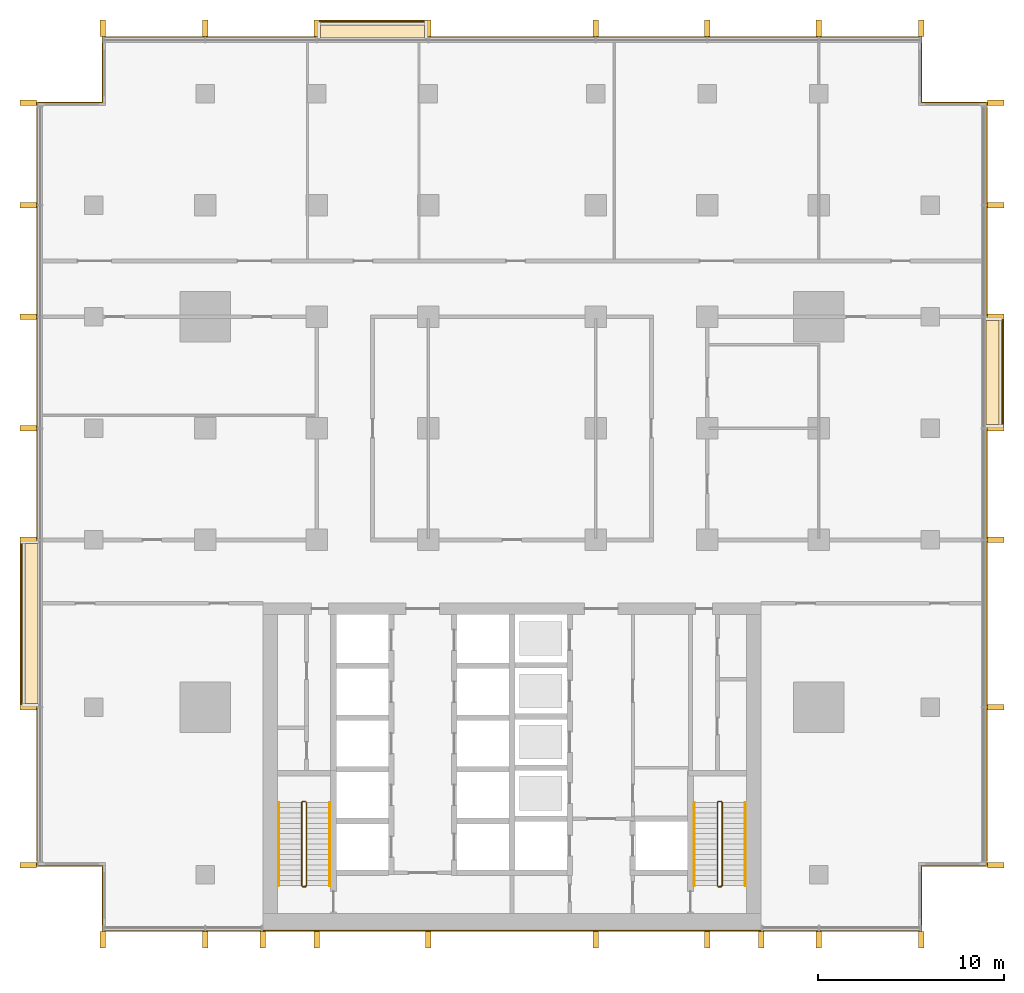
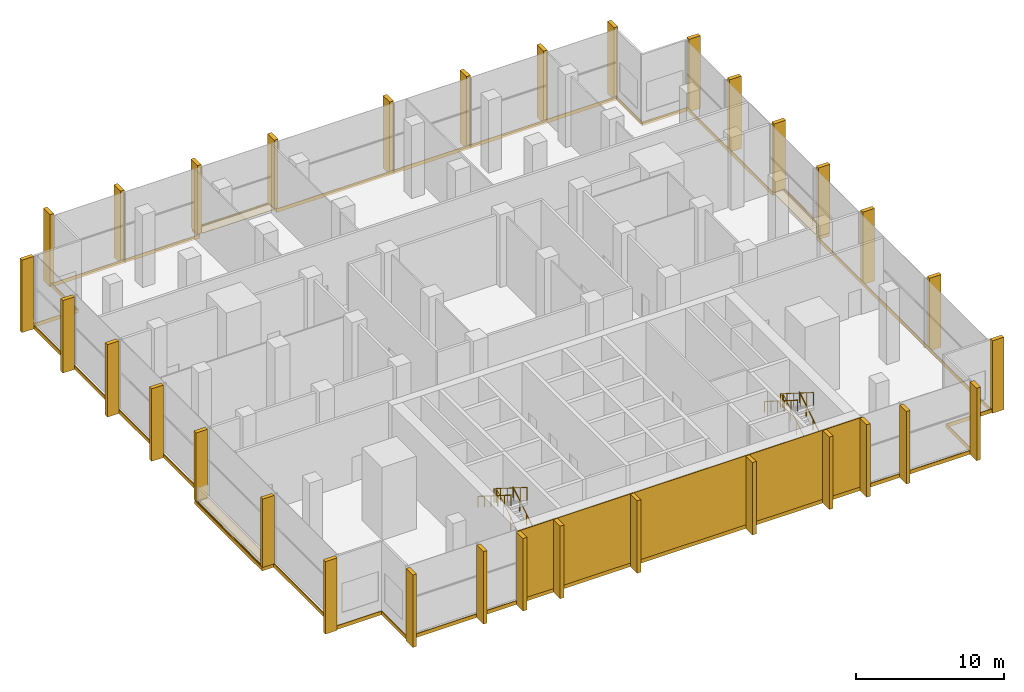
# One storey, part 15 of 16: 32 shading devices, 12 coverings, 6 railings.
"""IFC4 building model written with IfcOpenShell, lengths in metres."""

from ifc_helpers import new_model, si_unit, direction, frame, origin, origin_2d, place, context, subcontext, project, spatial, polyline, rectangle, circle, outline, extrude, material, layer, layer_set, type_object, element, save


model = new_model("IFC4")

# Units and contexts
model_context = context("Model", 3, precision=1e-05, world=origin(), true_north=direction((0.0, 1.0)))
body_context = subcontext(model_context, "Body", "Model", "MODEL_VIEW")
ifc_project = project(units=[si_unit("LENGTHUNIT", "METRE"), si_unit("AREAUNIT", "SQUARE_METRE"), si_unit("VOLUMEUNIT", "CUBIC_METRE"), si_unit("PLANEANGLEUNIT", "RADIAN"), si_unit("MASSUNIT", "GRAM", prefix="KILO")], contexts=[model_context])

# Site, building, storey
site_placement = place(None, origin())
site = spatial("IfcSite", under=ifc_project, at=site_placement, CompositionType="ELEMENT")
building_placement = place(site_placement, origin())
building = spatial("IfcBuilding", under=site, at=building_placement, Name="Finial Court Residences", CompositionType="ELEMENT")
storey_placement = place(building_placement, frame((0.0, 0.0, 127.89990234375)))
storey = spatial("IfcBuildingStorey", under=building, at=storey_placement, Name="L32", CompositionType="ELEMENT", Elevation=127.89990234375)

# Coverings
ifc_material_1 = material(Name="Natural limestone", Category="masonry")
ifc_layer_1 = layer(ifc_material_1, 0.06005859375)
ifc_layer_set_1 = layer_set([ifc_layer_1], Name="Limestone cladding to the blind core face 60")
covering_type_1 = type_object("IfcCoveringType", Name="Limestone cladding to the blind core face 60", PredefinedType="CLADDING", material=ifc_layer_set_1)
covering_1_placement = place(storey_placement, origin())
element("IfcCovering", 1, at=covering_1_placement, inside=storey, type_object=covering_type_1, Name="E-L32-CLAD1", PredefinedType="CLADDING", context=body_context, shape_type="SweptSolid", body=[
    extrude(outline(polyline([(-10.5, -25.56005859375), (-10.5, -25.5), (-13.39990234375, -25.5), (-13.39990234375, -25.56005859375), (-10.5, -25.56005859375)])), origin(), (0.0, 0.0, 1.0), 5.7001953125),
])
covering_2_placement = place(storey_placement, origin())
element("IfcCovering", 2, at=covering_2_placement, inside=storey, type_object=covering_type_1, Name="E-L32-CLAD2", PredefinedType="CLADDING", context=body_context, shape_type="SweptSolid", body=[
    extrude(outline(polyline([(-4.5, -25.56005859375), (-4.5, -25.5), (-10.5, -25.5), (-10.5, -25.56005859375), (-4.5, -25.56005859375)])), origin(), (0.0, 0.0, 1.0), 5.7001953125),
])
covering_3_placement = place(storey_placement, origin())
element("IfcCovering", 3, at=covering_3_placement, inside=storey, type_object=covering_type_1, Name="E-L32-CLAD3", PredefinedType="CLADDING", context=body_context, shape_type="SweptSolid", body=[
    extrude(outline(polyline([(4.5, -25.56005859375), (4.5, -25.5), (-4.5, -25.5), (-4.5, -25.56005859375), (4.5, -25.56005859375)])), origin(), (0.0, 0.0, 1.0), 5.7001953125),
])
covering_4_placement = place(storey_placement, origin())
element("IfcCovering", 4, at=covering_4_placement, inside=storey, type_object=covering_type_1, Name="E-L32-CLAD4", PredefinedType="CLADDING", context=body_context, shape_type="SweptSolid", body=[
    extrude(outline(polyline([(10.5, -25.56005859375), (10.5, -25.5), (4.5, -25.5), (4.5, -25.56005859375), (10.5, -25.56005859375)])), origin(), (0.0, 0.0, 1.0), 5.7001953125),
])
covering_5_placement = place(storey_placement, origin())
element("IfcCovering", 5, at=covering_5_placement, inside=storey, type_object=covering_type_1, Name="E-L32-CLAD5", PredefinedType="CLADDING", context=body_context, shape_type="SweptSolid", body=[
    extrude(outline(polyline([(13.39990234375, -25.56005859375), (13.39990234375, -25.5), (10.5, -25.5), (10.5, -25.56005859375), (13.39990234375, -25.56005859375)])), origin(), (0.0, 0.0, 1.0), 5.7001953125),
])

# Shading devices
shading_device_type = type_object("IfcShadingDeviceType", Name="Limestone fin 300 x 900", PredefinedType="USERDEFINED", material=ifc_material_1)
for number, where, z_axis, x_axis, name in (
    (6, (-22.0, 23.010009765625, -0.2998046875), (0.0, 0.0, 1.0), (1.0, 0.0, 0.0), "E-L32-FIN-N1"),
    (7, (-16.5, 23.010009765625, -0.2998046875), (0.0, 0.0, 1.0), (1.0, 0.0, 0.0), "E-L32-FIN-N2"),
):
    element("IfcShadingDevice", number, at=place(storey_placement, frame(where, z_axis=z_axis, x_axis=x_axis)), inside=storey, type_object=shading_device_type, Name=name, ObjectType="FIN", PredefinedType="USERDEFINED", context=body_context, shape_type="SweptSolid", body=[
        extrude(rectangle(XDim=0.300048828125, YDim=0.89990234375, at=origin_2d()), origin(), (0.0, 0.0, 1.0), 5.97998046875),
    ])
for number, where, z_axis, x_axis, name in (
    (8, (-10.5, 23.010009765625, 0.0400390625), (0.0, 0.0, 1.0), (1.0, 0.0, 0.0), "E-L32-FIN-N3"),
    (9, (-4.5, 23.010009765625, 0.0400390625), (0.0, 0.0, 1.0), (1.0, 0.0, 0.0), "E-L32-FIN-N4"),
):
    element("IfcShadingDevice", number, at=place(storey_placement, frame(where, z_axis=z_axis, x_axis=x_axis)), inside=storey, type_object=shading_device_type, Name=name, ObjectType="FIN", PredefinedType="USERDEFINED", context=body_context, shape_type="SweptSolid", body=[
        extrude(rectangle(XDim=0.300048828125, YDim=0.89990234375, at=origin_2d()), origin(), (0.0, 0.0, 1.0), 5.639892578125),
    ])
for number, where, z_axis, x_axis, name in (
    (10, (4.5, 23.010009765625, -0.2998046875), (0.0, 0.0, 1.0), (1.0, 0.0, 0.0), "E-L32-FIN-N5"),
    (11, (10.5, 23.010009765625, -0.2998046875), (0.0, 0.0, 1.0), (1.0, 0.0, 0.0), "E-L32-FIN-N6"),
    (12, (16.5, 23.010009765625, -0.2998046875), (0.0, 0.0, 1.0), (1.0, 0.0, 0.0), "E-L32-FIN-N7"),
    (13, (22.0, 23.010009765625, -0.2998046875), (0.0, 0.0, 1.0), (1.0, 0.0, 0.0), "E-L32-FIN-N8"),
):
    element("IfcShadingDevice", number, at=place(storey_placement, frame(where, z_axis=z_axis, x_axis=x_axis)), inside=storey, type_object=shading_device_type, Name=name, ObjectType="FIN", PredefinedType="USERDEFINED", context=body_context, shape_type="SweptSolid", body=[
        extrude(rectangle(XDim=0.300048828125, YDim=0.89990234375, at=origin_2d()), origin(), (0.0, 0.0, 1.0), 5.97998046875),
    ])
for number, where, z_axis, x_axis, name in (
    (14, (26.010009765625, -22.0, -0.2998046875), (0.0, 0.0, 1.0), (1.0, 0.0, 0.0), "E-L32-FIN-E9"),
    (15, (26.010009765625, -13.5, -0.2998046875), (0.0, 0.0, 1.0), (1.0, 0.0, 0.0), "E-L32-FIN-E10"),
    (16, (26.010009765625, -4.5, -0.2998046875), (0.0, 0.0, 1.0), (1.0, 0.0, 0.0), "E-L32-FIN-E11"),
):
    element("IfcShadingDevice", number, at=place(storey_placement, frame(where, z_axis=z_axis, x_axis=x_axis)), inside=storey, type_object=shading_device_type, Name=name, ObjectType="FIN", PredefinedType="USERDEFINED", context=body_context, shape_type="SweptSolid", body=[
        extrude(rectangle(XDim=0.89990234375, YDim=0.300048828125, at=origin_2d()), origin(), (0.0, 0.0, 1.0), 5.97998046875),
    ])
for number, where, z_axis, x_axis, name in (
    (17, (26.010009765625, 1.5, 0.0400390625), (0.0, 0.0, 1.0), (1.0, 0.0, 0.0), "E-L32-FIN-E12"),
    (18, (26.010009765625, 7.5, 0.0400390625), (0.0, 0.0, 1.0), (1.0, 0.0, 0.0), "E-L32-FIN-E13"),
):
    element("IfcShadingDevice", number, at=place(storey_placement, frame(where, z_axis=z_axis, x_axis=x_axis)), inside=storey, type_object=shading_device_type, Name=name, ObjectType="FIN", PredefinedType="USERDEFINED", context=body_context, shape_type="SweptSolid", body=[
        extrude(rectangle(XDim=0.89990234375, YDim=0.300048828125, at=origin_2d()), origin(), (0.0, 0.0, 1.0), 5.639892578125),
    ])
for number, where, z_axis, x_axis, name in (
    (19, (26.010009765625, 13.5, -0.2998046875), (0.0, 0.0, 1.0), (1.0, 0.0, 0.0), "E-L32-FIN-E14"),
    (20, (26.010009765625, 19.0, -0.2998046875), (0.0, 0.0, 1.0), (1.0, 0.0, 0.0), "E-L32-FIN-E15"),
):
    element("IfcShadingDevice", number, at=place(storey_placement, frame(where, z_axis=z_axis, x_axis=x_axis)), inside=storey, type_object=shading_device_type, Name=name, ObjectType="FIN", PredefinedType="USERDEFINED", context=body_context, shape_type="SweptSolid", body=[
        extrude(rectangle(XDim=0.89990234375, YDim=0.300048828125, at=origin_2d()), origin(), (0.0, 0.0, 1.0), 5.97998046875),
    ])
for number, where, z_axis, x_axis, name in (
    (21, (-22.0, -26.010009765625, -0.2998046875), (0.0, 0.0, 1.0), (1.0, 0.0, 0.0), "E-L32-FIN-S16"),
    (22, (-16.5, -26.010009765625, -0.2998046875), (0.0, 0.0, 1.0), (1.0, 0.0, 0.0), "E-L32-FIN-S17"),
    (23, (-13.39990234375, -26.010009765625, -0.2998046875), (0.0, 0.0, 1.0), (1.0, 0.0, 0.0), "E-L32-FIN-S18"),
    (24, (-10.5, -26.010009765625, -0.2998046875), (0.0, 0.0, 1.0), (1.0, 0.0, 0.0), "E-L32-FIN-S19"),
    (25, (-4.5, -26.010009765625, -0.2998046875), (0.0, 0.0, 1.0), (1.0, 0.0, 0.0), "E-L32-FIN-S20"),
    (26, (4.5, -26.010009765625, -0.2998046875), (0.0, 0.0, 1.0), (1.0, 0.0, 0.0), "E-L32-FIN-S21"),
    (27, (10.5, -26.010009765625, -0.2998046875), (0.0, 0.0, 1.0), (1.0, 0.0, 0.0), "E-L32-FIN-S22"),
    (28, (13.39990234375, -26.010009765625, -0.2998046875), (0.0, 0.0, 1.0), (1.0, 0.0, 0.0), "E-L32-FIN-S23"),
    (29, (16.5, -26.010009765625, -0.2998046875), (0.0, 0.0, 1.0), (1.0, 0.0, 0.0), "E-L32-FIN-S24"),
    (30, (22.0, -26.010009765625, -0.2998046875), (0.0, 0.0, 1.0), (1.0, 0.0, 0.0), "E-L32-FIN-S25"),
):
    element("IfcShadingDevice", number, at=place(storey_placement, frame(where, z_axis=z_axis, x_axis=x_axis)), inside=storey, type_object=shading_device_type, Name=name, ObjectType="FIN", PredefinedType="USERDEFINED", context=body_context, shape_type="SweptSolid", body=[
        extrude(rectangle(XDim=0.300048828125, YDim=0.89990234375, at=origin_2d()), origin(), (0.0, 0.0, 1.0), 5.97998046875),
    ])
shading_device_placement = place(storey_placement, frame((-26.010009765625, -22.0, -0.2998046875), z_axis=(0.0, 0.0, 1.0), x_axis=(1.0, 0.0, 0.0)))
element("IfcShadingDevice", 31, at=shading_device_placement, inside=storey, type_object=shading_device_type, Name="E-L32-FIN-W26", ObjectType="FIN", PredefinedType="USERDEFINED", context=body_context, shape_type="SweptSolid", body=[
    extrude(rectangle(XDim=0.89990234375, YDim=0.300048828125, at=origin_2d()), origin(), (0.0, 0.0, 1.0), 5.97998046875),
])
for number, where, z_axis, x_axis, name in (
    (32, (-26.010009765625, -13.5, 0.0400390625), (0.0, 0.0, 1.0), (1.0, 0.0, 0.0), "E-L32-FIN-W27"),
    (33, (-26.010009765625, -4.5, 0.0400390625), (0.0, 0.0, 1.0), (1.0, 0.0, 0.0), "E-L32-FIN-W28"),
):
    element("IfcShadingDevice", number, at=place(storey_placement, frame(where, z_axis=z_axis, x_axis=x_axis)), inside=storey, type_object=shading_device_type, Name=name, ObjectType="FIN", PredefinedType="USERDEFINED", context=body_context, shape_type="SweptSolid", body=[
        extrude(rectangle(XDim=0.89990234375, YDim=0.300048828125, at=origin_2d()), origin(), (0.0, 0.0, 1.0), 5.639892578125),
    ])
for number, where, z_axis, x_axis, name in (
    (34, (-26.010009765625, 1.5, -0.2998046875), (0.0, 0.0, 1.0), (1.0, 0.0, 0.0), "E-L32-FIN-W29"),
    (35, (-26.010009765625, 7.5, -0.2998046875), (0.0, 0.0, 1.0), (1.0, 0.0, 0.0), "E-L32-FIN-W30"),
    (36, (-26.010009765625, 13.5, -0.2998046875), (0.0, 0.0, 1.0), (1.0, 0.0, 0.0), "E-L32-FIN-W31"),
    (37, (-26.010009765625, 19.0, -0.2998046875), (0.0, 0.0, 1.0), (1.0, 0.0, 0.0), "E-L32-FIN-W32"),
):
    element("IfcShadingDevice", number, at=place(storey_placement, frame(where, z_axis=z_axis, x_axis=x_axis)), inside=storey, type_object=shading_device_type, Name=name, ObjectType="FIN", PredefinedType="USERDEFINED", context=body_context, shape_type="SweptSolid", body=[
        extrude(rectangle(XDim=0.89990234375, YDim=0.300048828125, at=origin_2d()), origin(), (0.0, 0.0, 1.0), 5.97998046875),
    ])

# Coverings
ifc_material_2 = material(Name="Pale limestone", Category="masonry")
ifc_layer_2 = layer(ifc_material_2, 0.06005859375)
ifc_layer_set_2 = layer_set([ifc_layer_2], Name="Pale limestone slab-edge band 60")
covering_type_2 = type_object("IfcCoveringType", Name="Pale limestone slab-edge band 60", PredefinedType="CLADDING", material=ifc_layer_set_2)
covering_6_placement = place(storey_placement, frame((0.0, 0.0, -0.2998046875)))
element("IfcCovering", 38, at=covering_6_placement, inside=storey, type_object=covering_type_2, Name="E-L32-BAND1", PredefinedType="CLADDING", context=body_context, shape_type="SweptSolid", body=[
    extrude(outline(polyline([(-25.56005859375, 19.06005859375), (-22.06005859375, 19.06005859375), (-22.06005859375, 22.56005859375), (-10.56005859375, 22.56005859375), (-10.56005859375, 23.4599609375), (-4.43994140625, 23.4599609375), (-4.43994140625, 22.56005859375), (22.06005859375, 22.56005859375), (22.06005859375, 19.06005859375), (25.56005859375, 19.06005859375), (25.56005859375, 7.56005859375), (26.4599609375, 7.56005859375), (26.4599609375, 1.43994140625), (25.56005859375, 1.43994140625), (25.56005859375, -22.06005859375), (22.06005859375, -22.06005859375), (22.06005859375, -25.56005859375), (-22.06005859375, -25.56005859375), (-22.06005859375, -22.06005859375), (-25.56005859375, -22.06005859375), (-25.56005859375, -13.56005859375), (-26.4599609375, -13.56005859375), (-26.4599609375, -4.43994140625), (-25.56005859375, -4.43994140625), (-25.56005859375, 19.06005859375)]), holes=[polyline([(-26.39990234375, -4.5), (-26.39990234375, -13.5), (-25.5, -13.5), (-25.5, -22.0), (-22.0, -22.0), (-22.0, -25.5), (22.0, -25.5), (22.0, -22.0), (25.5, -22.0), (25.5, 1.5), (26.39990234375, 1.5), (26.39990234375, 7.5), (25.5, 7.5), (25.5, 19.0), (22.0, 19.0), (22.0, 22.5), (-4.5, 22.5), (-4.5, 23.39990234375), (-10.5, 23.39990234375), (-10.5, 22.5), (-22.0, 22.5), (-22.0, 19.0), (-25.5, 19.0), (-25.5, -4.5), (-26.39990234375, -4.5)])]), origin(), (0.0, 0.0, 1.0), 0.2998046875),
])
ifc_material_3 = material(Name="Bitumen membrane")
ifc_layer_3 = layer(ifc_material_3, 0.0400390625)
ifc_layer_set_3 = layer_set([ifc_layer_3], Name="Push box roofing, bitumen membrane 40")
covering_type_3 = type_object("IfcCoveringType", Name="Push box roofing, bitumen membrane 40", PredefinedType="ROOFING", material=ifc_layer_set_3)
covering_7_placement = place(storey_placement, origin())
element("IfcCovering", 39, at=covering_7_placement, inside=storey, type_object=covering_type_3, Name="E-L32-LED1c", PredefinedType="ROOFING", context=body_context, shape_type="SweptSolid", body=[
    extrude(outline(polyline([(-10.300048828125, 22.5), (-10.300048828125, 23.199951171875), (-4.699951171875, 23.199951171875), (-4.699951171875, 22.5), (-10.300048828125, 22.5)])), origin(), (0.0, 0.0, 1.0), 0.0400390625),
])
covering_8_placement = place(storey_placement, origin())
element("IfcCovering", 40, at=covering_8_placement, inside=storey, type_object=covering_type_3, Name="E-L32-LED1d", PredefinedType="ROOFING", context=body_context, shape_type="SweptSolid", body=[
    extrude(outline(polyline([(-10.5, 22.5), (-10.5, 23.39990234375), (-4.699951171875, 23.39990234375), (-4.699951171875, 23.35009765625), (-10.300048828125, 23.35009765625), (-10.300048828125, 23.35009765625), (-10.449951171875, 23.35009765625), (-10.449951171875, 22.5), (-10.5, 22.5)])), origin(), (0.0, 0.0, 1.0), 0.0400390625),
])
covering_9_placement = place(storey_placement, origin())
element("IfcCovering", 41, at=covering_9_placement, inside=storey, type_object=covering_type_3, Name="E-L32-LED2c", PredefinedType="ROOFING", context=body_context, shape_type="SweptSolid", body=[
    extrude(outline(polyline([(25.5, 7.300048828125), (26.199951171875, 7.300048828125), (26.199951171875, 1.699951171875), (25.5, 1.699951171875), (25.5, 7.300048828125)])), origin(), (0.0, 0.0, 1.0), 0.0400390625),
])
covering_10_placement = place(storey_placement, origin())
element("IfcCovering", 42, at=covering_10_placement, inside=storey, type_object=covering_type_3, Name="E-L32-LED2d", PredefinedType="ROOFING", context=body_context, shape_type="SweptSolid", body=[
    extrude(outline(polyline([(25.5, 7.5), (26.39990234375, 7.5), (26.39990234375, 1.699951171875), (26.35009765625, 1.699951171875), (26.35009765625, 7.300048828125), (26.35009765625, 7.300048828125), (26.35009765625, 7.449951171875), (25.5, 7.449951171875), (25.5, 7.5)])), origin(), (0.0, 0.0, 1.0), 0.0400390625),
])
covering_11_placement = place(storey_placement, origin())
element("IfcCovering", 43, at=covering_11_placement, inside=storey, type_object=covering_type_3, Name="E-L32-LED3c", PredefinedType="ROOFING", context=body_context, shape_type="SweptSolid", body=[
    extrude(outline(polyline([(-25.5, -13.300048828125), (-26.199951171875, -13.300048828125), (-26.199951171875, -4.699951171875), (-25.5, -4.699951171875), (-25.5, -13.300048828125)])), origin(), (0.0, 0.0, 1.0), 0.0400390625),
])
covering_12_placement = place(storey_placement, origin())
element("IfcCovering", 44, at=covering_12_placement, inside=storey, type_object=covering_type_3, Name="E-L32-LED3d", PredefinedType="ROOFING", context=body_context, shape_type="SweptSolid", body=[
    extrude(outline(polyline([(-25.5, -13.5), (-26.39990234375, -13.5), (-26.39990234375, -4.699951171875), (-26.35009765625, -4.699951171875), (-26.35009765625, -13.300048828125), (-26.35009765625, -13.300048828125), (-26.35009765625, -13.449951171875), (-25.5, -13.449951171875), (-25.5, -13.5)])), origin(), (0.0, 0.0, 1.0), 0.0400390625),
])

# Railings
ifc_material_4 = material(Name="Stainless steel railing", Category="steel")
railing_type_1 = type_object("IfcRailingType", Name="Stair guard 1100", PredefinedType="GUARDRAIL", material=ifc_material_4)
railing_1_placement = place(storey_placement, frame((-11.10009765625, -23.14990234375, 0.0)))
element("IfcRailing", 45, at=railing_1_placement, inside=storey, type_object=railing_type_1, Name="L32 ST-1 stair guard 1", PredefinedType="GUARDRAIL", context=body_context, shape_type="SweptSolid", body=[
    extrude(circle(Radius=0.02392578125, at=origin_2d()), frame((0.0, 0.0, 1.076171875), z_axis=(-1.0, 0.0, 0.0), x_axis=(0.0, -1.0, 0.0)), (0.0, 0.0, 1.0), 0.14990234375),
    extrude(circle(Radius=0.02392578125, at=origin_2d()), frame((-0.14990234375, 0.0, 1.076171875), z_axis=(0.736939416289, 0.183560001127, 0.650558239288), x_axis=(-0.241699205484, 0.970351222016, 0.0)), (0.0, 0.0, 1.0), 0.271240234375),
    extrude(circle(Radius=0.02392578125, at=origin_2d()), frame((0.050048828125, 0.0498046875, 1.25244140625), z_axis=(0.0, 0.845997938375, 0.533186166611), x_axis=(-1.0, 0.0, 0.0)), (0.0, 0.0, 1.0), 5.29541015625),
    extrude(circle(Radius=0.02392578125, at=origin_2d()), frame((0.050048828125, 4.52978515625, 4.076171875), z_axis=(-0.707106781187, 0.707106781187, 0.0), x_axis=(-0.707106781187, -0.707106781187, 0.0)), (0.0, 0.0, 1.0), 0.07080078125),
    extrude(circle(Radius=0.02392578125, at=origin_2d()), frame((0.0, 4.579833984375, 4.076171875), z_axis=(-1.0, 0.0, 0.0), x_axis=(0.0, -1.0, 0.0)), (0.0, 0.0, 1.0), 0.14990234375),
    extrude(circle(Radius=0.02392578125, at=origin_2d()), frame((-0.14990234375, 4.579833984375, 4.076171875), z_axis=(-0.263171338983, -0.263171338983, 0.928160380902), x_axis=(0.707106781187, -0.707106781187, 0.0)), (0.0, 0.0, 1.0), 0.190185546875),
    extrude(circle(Radius=0.02392578125, at=origin_2d()), frame((-0.199951171875, 4.52978515625, 4.25244140625), z_axis=(0.0, -0.845997938375, 0.533186166611), x_axis=(1.0, 0.0, 0.0)), (0.0, 0.0, 1.0), 5.29541015625),
    extrude(circle(Radius=0.02099609375, at=origin_2d()), origin(), (0.0, 0.0, 1.0), 1.052001953125),
    extrude(circle(Radius=0.02099609375, at=origin_2d()), frame((-0.14990234375, 0.0, 0.0)), (0.0, 0.0, 1.0), 1.052001953125),
    extrude(circle(Radius=0.02099609375, at=origin_2d()), frame((0.050048828125, 0.0498046875, 0.176513671875)), (0.0, 0.0, 1.0), 1.052001953125),
    extrude(circle(Radius=0.02099609375, at=origin_2d()), frame((0.050048828125, 0.94580078125, 0.7412109375)), (0.0, 0.0, 1.0), 1.052001953125),
    extrude(circle(Radius=0.02099609375, at=origin_2d()), frame((0.050048828125, 1.841796875, 1.305908203125)), (0.0, 0.0, 1.0), 1.052001953125),
    extrude(circle(Radius=0.02099609375, at=origin_2d()), frame((0.050048828125, 2.73779296875, 1.87060546875)), (0.0, 0.0, 1.0), 1.052001953125),
    extrude(circle(Radius=0.02099609375, at=origin_2d()), frame((0.050048828125, 3.6337890625, 2.435302734375)), (0.0, 0.0, 1.0), 1.052001953125),
    extrude(circle(Radius=0.02099609375, at=origin_2d()), frame((0.050048828125, 4.52978515625, 3.0)), (0.0, 0.0, 1.0), 1.052001953125),
    extrude(circle(Radius=0.02099609375, at=origin_2d()), frame((0.0, 4.579833984375, 3.0)), (0.0, 0.0, 1.0), 1.052001953125),
    extrude(circle(Radius=0.02099609375, at=origin_2d()), frame((-0.14990234375, 4.579833984375, 3.0)), (0.0, 0.0, 1.0), 1.052001953125),
    extrude(circle(Radius=0.02099609375, at=origin_2d()), frame((-0.199951171875, 4.52978515625, 3.176513671875)), (0.0, 0.0, 1.0), 1.052001953125),
    extrude(circle(Radius=0.02099609375, at=origin_2d()), frame((-0.199951171875, 3.6337890625, 3.7412109375)), (0.0, 0.0, 1.0), 1.052001953125),
    extrude(circle(Radius=0.02099609375, at=origin_2d()), frame((-0.199951171875, 2.73779296875, 4.305908203125)), (0.0, 0.0, 1.0), 1.052001953125),
    extrude(circle(Radius=0.02099609375, at=origin_2d()), frame((-0.199951171875, 1.841796875, 4.87060546875)), (0.0, 0.0, 1.0), 1.052001953125),
    extrude(circle(Radius=0.02099609375, at=origin_2d()), frame((-0.199951171875, 0.94580078125, 5.435302734375)), (0.0, 0.0, 1.0), 1.052001953125),
    extrude(circle(Radius=0.02099609375, at=origin_2d()), frame((-0.199951171875, 0.0498046875, 6.0)), (0.0, 0.0, 1.0), 1.052001953125),
])
railing_2_placement = place(storey_placement, frame((11.25, -23.14990234375, 0.0)))
element("IfcRailing", 46, at=railing_2_placement, inside=storey, type_object=railing_type_1, Name="L32 ST-2 stair guard 1", PredefinedType="GUARDRAIL", context=body_context, shape_type="SweptSolid", body=[
    extrude(circle(Radius=0.02392578125, at=origin_2d()), frame((0.0, 0.0, 1.076171875), z_axis=(-1.0, 0.0, 0.0), x_axis=(0.0, -1.0, 0.0)), (0.0, 0.0, 1.0), 0.14990234375),
    extrude(circle(Radius=0.02392578125, at=origin_2d()), frame((-0.14990234375, 0.0, 1.076171875), z_axis=(0.736939416289, 0.183560001127, 0.650558239288), x_axis=(-0.241699205484, 0.970351222016, 0.0)), (0.0, 0.0, 1.0), 0.271240234375),
    extrude(circle(Radius=0.02392578125, at=origin_2d()), frame((0.050048828125, 0.0498046875, 1.25244140625), z_axis=(0.0, 0.845997938375, 0.533186166611), x_axis=(-1.0, 0.0, 0.0)), (0.0, 0.0, 1.0), 5.29541015625),
    extrude(circle(Radius=0.02392578125, at=origin_2d()), frame((0.050048828125, 4.52978515625, 4.076171875), z_axis=(-0.707106781187, 0.707106781187, 0.0), x_axis=(-0.707106781187, -0.707106781187, 0.0)), (0.0, 0.0, 1.0), 0.07080078125),
    extrude(circle(Radius=0.02392578125, at=origin_2d()), frame((0.0, 4.579833984375, 4.076171875), z_axis=(-1.0, 0.0, 0.0), x_axis=(0.0, -1.0, 0.0)), (0.0, 0.0, 1.0), 0.14990234375),
    extrude(circle(Radius=0.02392578125, at=origin_2d()), frame((-0.14990234375, 4.579833984375, 4.076171875), z_axis=(-0.263171338983, -0.263171338983, 0.928160380902), x_axis=(0.707106781187, -0.707106781187, 0.0)), (0.0, 0.0, 1.0), 0.190185546875),
    extrude(circle(Radius=0.02392578125, at=origin_2d()), frame((-0.199951171875, 4.52978515625, 4.25244140625), z_axis=(0.0, -0.845997938375, 0.533186166611), x_axis=(1.0, 0.0, 0.0)), (0.0, 0.0, 1.0), 5.29541015625),
    extrude(circle(Radius=0.02099609375, at=origin_2d()), origin(), (0.0, 0.0, 1.0), 1.052001953125),
    extrude(circle(Radius=0.02099609375, at=origin_2d()), frame((-0.14990234375, 0.0, 0.0)), (0.0, 0.0, 1.0), 1.052001953125),
    extrude(circle(Radius=0.02099609375, at=origin_2d()), frame((0.050048828125, 0.0498046875, 0.176513671875)), (0.0, 0.0, 1.0), 1.052001953125),
    extrude(circle(Radius=0.02099609375, at=origin_2d()), frame((0.050048828125, 0.94580078125, 0.7412109375)), (0.0, 0.0, 1.0), 1.052001953125),
    extrude(circle(Radius=0.02099609375, at=origin_2d()), frame((0.050048828125, 1.841796875, 1.305908203125)), (0.0, 0.0, 1.0), 1.052001953125),
    extrude(circle(Radius=0.02099609375, at=origin_2d()), frame((0.050048828125, 2.73779296875, 1.87060546875)), (0.0, 0.0, 1.0), 1.052001953125),
    extrude(circle(Radius=0.02099609375, at=origin_2d()), frame((0.050048828125, 3.6337890625, 2.435302734375)), (0.0, 0.0, 1.0), 1.052001953125),
    extrude(circle(Radius=0.02099609375, at=origin_2d()), frame((0.050048828125, 4.52978515625, 3.0)), (0.0, 0.0, 1.0), 1.052001953125),
    extrude(circle(Radius=0.02099609375, at=origin_2d()), frame((0.0, 4.579833984375, 3.0)), (0.0, 0.0, 1.0), 1.052001953125),
    extrude(circle(Radius=0.02099609375, at=origin_2d()), frame((-0.14990234375, 4.579833984375, 3.0)), (0.0, 0.0, 1.0), 1.052001953125),
    extrude(circle(Radius=0.02099609375, at=origin_2d()), frame((-0.199951171875, 4.52978515625, 3.176513671875)), (0.0, 0.0, 1.0), 1.052001953125),
    extrude(circle(Radius=0.02099609375, at=origin_2d()), frame((-0.199951171875, 3.6337890625, 3.7412109375)), (0.0, 0.0, 1.0), 1.052001953125),
    extrude(circle(Radius=0.02099609375, at=origin_2d()), frame((-0.199951171875, 2.73779296875, 4.305908203125)), (0.0, 0.0, 1.0), 1.052001953125),
    extrude(circle(Radius=0.02099609375, at=origin_2d()), frame((-0.199951171875, 1.841796875, 4.87060546875)), (0.0, 0.0, 1.0), 1.052001953125),
    extrude(circle(Radius=0.02099609375, at=origin_2d()), frame((-0.199951171875, 0.94580078125, 5.435302734375)), (0.0, 0.0, 1.0), 1.052001953125),
    extrude(circle(Radius=0.02099609375, at=origin_2d()), frame((-0.199951171875, 0.0498046875, 6.0)), (0.0, 0.0, 1.0), 1.052001953125),
])
railing_type_2 = type_object("IfcRailingType", Name="Stair handrail 900", PredefinedType="HANDRAIL", material=ifc_material_4)
railing_3_placement = place(storey_placement, frame((-9.800048828125, -23.10009765625, 0.176513671875)))
element("IfcRailing", 47, at=railing_3_placement, inside=storey, type_object=railing_type_2, Name="L32 ST-1 stair handrail 1", PredefinedType="HANDRAIL", context=body_context, shape_type="SweptSolid", body=[
    extrude(circle(Radius=0.02392578125, at=origin_2d()), frame((0.0, 0.0, 0.8759765625), z_axis=(0.0, 0.845997938375, 0.533186166611), x_axis=(-1.0, 0.0, 0.0)), (0.0, 0.0, 1.0), 5.29541015625),
    extrude(circle(Radius=0.02099609375, at=origin_2d()), origin(), (0.0, 0.0, 1.0), 0.851806640625),
    extrude(circle(Radius=0.02099609375, at=origin_2d()), frame((0.0, 0.89599609375, 0.564697265625)), (0.0, 0.0, 1.0), 0.851806640625),
    extrude(circle(Radius=0.02099609375, at=origin_2d()), frame((0.0, 1.7919921875, 1.12939453125)), (0.0, 0.0, 1.0), 0.851806640625),
    extrude(circle(Radius=0.02099609375, at=origin_2d()), frame((0.0, 2.68798828125, 1.694091796875)), (0.0, 0.0, 1.0), 0.851806640625),
    extrude(circle(Radius=0.02099609375, at=origin_2d()), frame((0.0, 3.583984375, 2.2587890625)), (0.0, 0.0, 1.0), 0.851806640625),
    extrude(circle(Radius=0.02099609375, at=origin_2d()), frame((0.0, 4.47998046875, 2.823486328125)), (0.0, 0.0, 1.0), 0.851806640625),
])
railing_4_placement = place(storey_placement, frame((-12.550048828125, -18.6201171875, 3.176513671875)))
element("IfcRailing", 48, at=railing_4_placement, inside=storey, type_object=railing_type_2, Name="L32 ST-1 stair handrail 2", PredefinedType="HANDRAIL", context=body_context, shape_type="SweptSolid", body=[
    extrude(circle(Radius=0.02392578125, at=origin_2d()), frame((0.0, 0.0, 0.8759765625), z_axis=(0.0, -0.845997938375, 0.533186166611), x_axis=(1.0, 0.0, 0.0)), (0.0, 0.0, 1.0), 5.29541015625),
    extrude(circle(Radius=0.02099609375, at=origin_2d()), origin(), (0.0, 0.0, 1.0), 0.851806640625),
    extrude(circle(Radius=0.02099609375, at=origin_2d()), frame((0.0, -0.89599609375, 0.564697265625)), (0.0, 0.0, 1.0), 0.851806640625),
    extrude(circle(Radius=0.02099609375, at=origin_2d()), frame((0.0, -1.7919921875, 1.12939453125)), (0.0, 0.0, 1.0), 0.851806640625),
    extrude(circle(Radius=0.02099609375, at=origin_2d()), frame((0.0, -2.68798828125, 1.694091796875)), (0.0, 0.0, 1.0), 0.851806640625),
    extrude(circle(Radius=0.02099609375, at=origin_2d()), frame((0.0, -3.583984375, 2.2587890625)), (0.0, 0.0, 1.0), 0.851806640625),
    extrude(circle(Radius=0.02099609375, at=origin_2d()), frame((0.0, -4.47998046875, 2.823486328125)), (0.0, 0.0, 1.0), 0.851806640625),
])
railing_5_placement = place(storey_placement, frame((12.550048828125, -23.10009765625, 0.176513671875)))
element("IfcRailing", 49, at=railing_5_placement, inside=storey, type_object=railing_type_2, Name="L32 ST-2 stair handrail 1", PredefinedType="HANDRAIL", context=body_context, shape_type="SweptSolid", body=[
    extrude(circle(Radius=0.02392578125, at=origin_2d()), frame((0.0, 0.0, 0.8759765625), z_axis=(0.0, 0.845997938375, 0.533186166611), x_axis=(-1.0, 0.0, 0.0)), (0.0, 0.0, 1.0), 5.29541015625),
    extrude(circle(Radius=0.02099609375, at=origin_2d()), origin(), (0.0, 0.0, 1.0), 0.851806640625),
    extrude(circle(Radius=0.02099609375, at=origin_2d()), frame((0.0, 0.89599609375, 0.564697265625)), (0.0, 0.0, 1.0), 0.851806640625),
    extrude(circle(Radius=0.02099609375, at=origin_2d()), frame((0.0, 1.7919921875, 1.12939453125)), (0.0, 0.0, 1.0), 0.851806640625),
    extrude(circle(Radius=0.02099609375, at=origin_2d()), frame((0.0, 2.68798828125, 1.694091796875)), (0.0, 0.0, 1.0), 0.851806640625),
    extrude(circle(Radius=0.02099609375, at=origin_2d()), frame((0.0, 3.583984375, 2.2587890625)), (0.0, 0.0, 1.0), 0.851806640625),
    extrude(circle(Radius=0.02099609375, at=origin_2d()), frame((0.0, 4.47998046875, 2.823486328125)), (0.0, 0.0, 1.0), 0.851806640625),
])
railing_6_placement = place(storey_placement, frame((9.800048828125, -18.6201171875, 3.176513671875)))
element("IfcRailing", 50, at=railing_6_placement, inside=storey, type_object=railing_type_2, Name="L32 ST-2 stair handrail 2", PredefinedType="HANDRAIL", context=body_context, shape_type="SweptSolid", body=[
    extrude(circle(Radius=0.02392578125, at=origin_2d()), frame((0.0, 0.0, 0.8759765625), z_axis=(0.0, -0.845997938375, 0.533186166611), x_axis=(1.0, 0.0, 0.0)), (0.0, 0.0, 1.0), 5.29541015625),
    extrude(circle(Radius=0.02099609375, at=origin_2d()), origin(), (0.0, 0.0, 1.0), 0.851806640625),
    extrude(circle(Radius=0.02099609375, at=origin_2d()), frame((0.0, -0.89599609375, 0.564697265625)), (0.0, 0.0, 1.0), 0.851806640625),
    extrude(circle(Radius=0.02099609375, at=origin_2d()), frame((0.0, -1.7919921875, 1.12939453125)), (0.0, 0.0, 1.0), 0.851806640625),
    extrude(circle(Radius=0.02099609375, at=origin_2d()), frame((0.0, -2.68798828125, 1.694091796875)), (0.0, 0.0, 1.0), 0.851806640625),
    extrude(circle(Radius=0.02099609375, at=origin_2d()), frame((0.0, -3.583984375, 2.2587890625)), (0.0, 0.0, 1.0), 0.851806640625),
    extrude(circle(Radius=0.02099609375, at=origin_2d()), frame((0.0, -4.47998046875, 2.823486328125)), (0.0, 0.0, 1.0), 0.851806640625),
])

save(model, "model.ifc")
